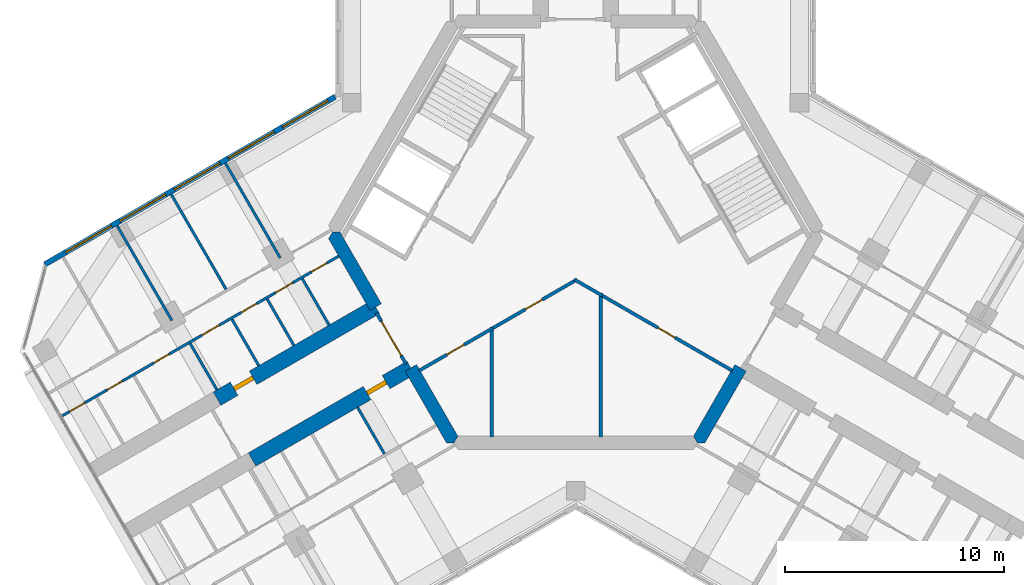
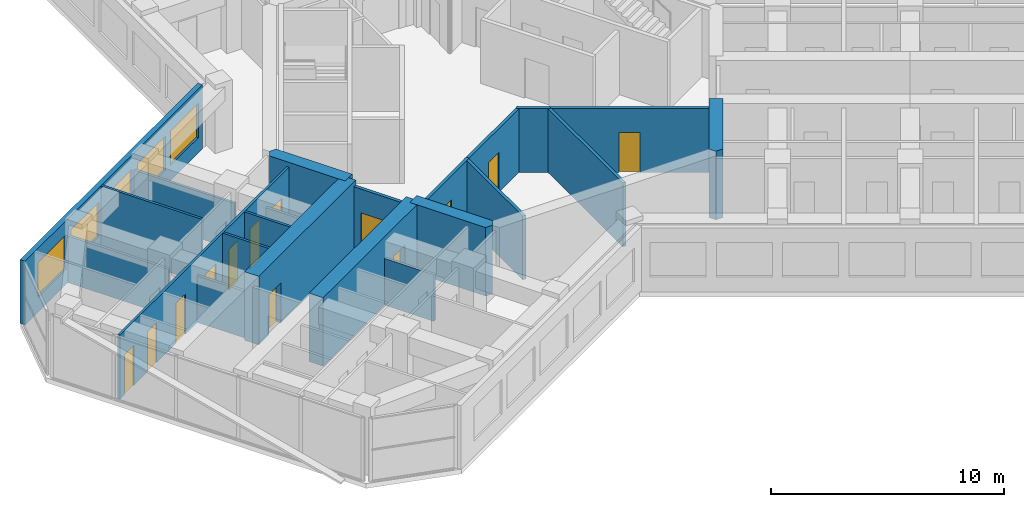
# One storey, part 9 of 16: 22 walls, 13 doors, 5 windows, 18 openings.
"""IFC4 building model written with IfcOpenShell, lengths in metres."""

from ifc_helpers import new_model, si_unit, direction, frame, frame_2d, origin, place, context, subcontext, project, spatial, polyline, rectangle, outline, extrude, material, layer, layer_set, type_object, element, fill, save


model = new_model("IFC4")

# Units and contexts
model_context = context("Model", 3, precision=1e-05, world=origin(), true_north=direction((0.0, 1.0)))
body_context = subcontext(model_context, "Body", "Model", "MODEL_VIEW")
ifc_project = project(units=[si_unit("LENGTHUNIT", "METRE"), si_unit("AREAUNIT", "SQUARE_METRE"), si_unit("VOLUMEUNIT", "CUBIC_METRE"), si_unit("PLANEANGLEUNIT", "RADIAN"), si_unit("MASSUNIT", "GRAM", prefix="KILO")], contexts=[model_context])

# Site, building, storey
site_placement = place(None, origin())
site = spatial("IfcSite", under=ifc_project, at=site_placement, CompositionType="ELEMENT")
building_placement = place(site_placement, origin())
building = spatial("IfcBuilding", under=site, at=building_placement, Name="Kosmar Iwan School Tower", CompositionType="ELEMENT")
storey_placement = place(building_placement, frame((0.0, 0.0, 249.60009765625)))
storey = spatial("IfcBuildingStorey", under=building, at=storey_placement, Name="L63", CompositionType="ELEMENT", Elevation=249.60009765625)

# Wall
ifc_material_1 = material(Name="Gypsum board on steel studs, fire-rated", Category="steel")
ifc_layer_1 = layer(ifc_material_1, 0.14990234375)
ifc_layer_set_1 = layer_set([ifc_layer_1], Name="Core room partition 150")
wall_type_1 = type_object("IfcWallType", Name="Core room partition 150", PredefinedType="PARTITIONING", material=ifc_layer_set_1)
wall_1_placement = place(storey_placement, frame((1.14208984375, -9.344970703125, 0.0), z_axis=(0.0, 0.0, 1.0), x_axis=(0.0, 1.0, 0.0)))
element("IfcWall", 1, at=wall_1_placement, inside=storey, type_object=wall_type_1, Name="Core room partition L63-CW5", PredefinedType="PARTITIONING", context=body_context, shape_type="SweptSolid", body=[
    extrude(rectangle(XDim=6.566650390625, YDim=0.14990234375, at=frame_2d((3.283203125, 0.0))), origin(), (0.0, 0.0, 1.0), 3.349853515625),
])

# Wall, opening, door
wall_2_placement = place(storey_placement, frame((1.0771484375, -2.81591796875, 0.0), z_axis=(0.0, 0.0, 1.0), x_axis=(0.866038154057, -0.49997791523, 0.0)))
wall_2 = element("IfcWall", 2, at=wall_2_placement, inside=storey, type_object=wall_type_1, Name="Core room partition L63-CW6", PredefinedType="PARTITIONING", context=body_context, shape_type="SweptSolid", body=[
    extrude(rectangle(XDim=7.004150390625, YDim=0.14990234375, at=frame_2d((3.501953125, 0.0))), origin(), (0.0, 0.0, 1.0), 3.349853515625),
])
opening_1_placement = place(wall_2_placement, frame((3.0869140625, 0.0, 0.0)))
opening_1 = element("IfcOpeningElement", 3, at=opening_1_placement, cuts=wall_2, Name="Opening D14", PredefinedType="OPENING", context=body_context, shape_type="SweptSolid", body=[
    extrude(rectangle(XDim=0.89990234375, YDim=2.10009765625, at=frame_2d((0.449951171875, 1.050048828125))), frame((0.0, 0.0869140625, 0.0), z_axis=(0.0, -1.0, 0.0), x_axis=(1.0, 0.0, 0.0)), (0.0, 0.0, 1.0), 0.173828125),
])
ifc_material_2 = material(Name="Timber fire door in steel frame", Category="steel")
door_type_1 = type_object("IfcDoorType", Name="Core room door 900x2100", OperationType="SINGLE_SWING_LEFT", PredefinedType="DOOR", material=ifc_material_2)
door_1_placement = place(opening_1_placement, origin())
door_1 = element("IfcDoor", 4, at=door_1_placement, inside=storey, type_object=door_type_1, Name="Residents' laundry room door L63 3", OperationType="SINGLE_SWING_RIGHT", OverallHeight=2.10009765625, OverallWidth=0.89990234375, PredefinedType="DOOR", context=body_context, shape_type="SweptSolid", body=[
    extrude(rectangle(XDim=0.89990234375, YDim=2.10009765625, at=frame_2d((0.449951171875, 1.050048828125))), frame((0.0, 0.02490234375, 0.0), z_axis=(0.0, -1.0, 0.0), x_axis=(1.0, 0.0, 0.0)), (0.0, 0.0, 1.0), 0.050048828125),
])
fill(opening_1, door_1)

# Wall
wall_3_placement = place(storey_placement, frame((-3.826416015625, -9.344970703125, 0.0), z_axis=(0.0, 0.0, 1.0), x_axis=(0.0, 1.0, 0.0)))
element("IfcWall", 5, at=wall_3_placement, inside=storey, type_object=wall_type_1, Name="Core room partition L63-CW7", PredefinedType="PARTITIONING", context=body_context, shape_type="SweptSolid", body=[
    extrude(rectangle(XDim=5.016845703125, YDim=0.14990234375, at=frame_2d((2.50830078125, 0.0))), origin(), (0.0, 0.0, 1.0), 3.349853515625),
])

# Wall, opening, door
wall_4_placement = place(storey_placement, frame((-3.891357421875, -4.440673828125, 0.0), z_axis=(0.0, 0.0, 1.0), x_axis=(0.866024503882, 0.500001558674, 0.0)))
wall_4 = element("IfcWall", 6, at=wall_4_placement, inside=storey, type_object=wall_type_1, Name="Core room partition L63-CW8", PredefinedType="PARTITIONING", context=body_context, shape_type="SweptSolid", body=[
    extrude(rectangle(XDim=4.568359375, YDim=0.14990234375, at=frame_2d((2.2841796875, 0.0))), origin(), (0.0, 0.0, 1.0), 3.349853515625),
])
opening_2_placement = place(wall_4_placement, frame((1.833984375, 0.0, 0.0)))
opening_2 = element("IfcOpeningElement", 7, at=opening_2_placement, cuts=wall_4, Name="Opening D14", PredefinedType="OPENING", context=body_context, shape_type="SweptSolid", body=[
    extrude(rectangle(XDim=0.89990234375, YDim=2.10009765625, at=frame_2d((0.449951171875, 1.050048828125))), frame((0.0, 0.0869140625, 0.0), z_axis=(0.0, -1.0, 0.0), x_axis=(1.0, 0.0, 0.0)), (0.0, 0.0, 1.0), 0.173828125),
])
door_2_placement = place(opening_2_placement, origin())
door_2 = element("IfcDoor", 8, at=door_2_placement, inside=storey, type_object=door_type_1, Name="Refuse and recycling room door L63 4", OperationType="SINGLE_SWING_RIGHT", OverallHeight=2.10009765625, OverallWidth=0.89990234375, PredefinedType="DOOR", context=body_context, shape_type="SweptSolid", body=[
    extrude(rectangle(XDim=0.89990234375, YDim=2.10009765625, at=frame_2d((0.449951171875, 1.050048828125))), frame((0.0, 0.02490234375, 0.0), z_axis=(0.0, -1.0, 0.0), x_axis=(1.0, 0.0, 0.0)), (0.0, 0.0, 1.0), 0.050048828125),
])
fill(opening_2, door_2)

# Wall
wall_5_placement = place(storey_placement, frame((-0.06494140625, -2.156494140625, 0.0), z_axis=(0.0, 0.0, 1.0), x_axis=(0.86602503688, -0.500000635496, 0.0)))
element("IfcWall", 9, at=wall_5_placement, inside=storey, type_object=wall_type_1, Name="Core room partition L63-CW9", PredefinedType="PARTITIONING", context=body_context, shape_type="SweptSolid", body=[
    extrude(rectangle(XDim=1.46875, YDim=0.14990234375, at=frame_2d((0.734375, 0.0))), origin(), (0.0, 0.0, 1.0), 3.349853515625),
])

# Wall, opening, door
wall_6_placement = place(storey_placement, frame((-7.14306640625, -6.31787109375, 0.0), z_axis=(0.0, 0.0, 1.0), x_axis=(0.866022116431, 0.50000569382, 0.0)))
wall_6 = element("IfcWall", 10, at=wall_6_placement, inside=storey, type_object=wall_type_1, Name="Core room partition L63-CW10", PredefinedType="PARTITIONING", context=body_context, shape_type="SweptSolid", body=[
    extrude(rectangle(XDim=3.90478515625, YDim=0.14990234375, at=frame_2d((1.952392578125, 0.0))), origin(), (0.0, 0.0, 1.0), 3.349853515625),
])
opening_3_placement = place(wall_6_placement, frame((1.467041015625, 0.0, 0.0)))
opening_3 = element("IfcOpeningElement", 11, at=opening_3_placement, cuts=wall_6, Name="Opening D14", PredefinedType="OPENING", context=body_context, shape_type="SweptSolid", body=[
    extrude(rectangle(XDim=0.89990234375, YDim=2.10009765625, at=frame_2d((0.449951171875, 1.050048828125))), frame((0.0, 0.0869140625, 0.0), z_axis=(0.0, -1.0, 0.0), x_axis=(1.0, 0.0, 0.0)), (0.0, 0.0, 1.0), 0.173828125),
])
door_3_placement = place(opening_3_placement, origin())
door_3 = element("IfcDoor", 12, at=door_3_placement, inside=storey, type_object=door_type_1, Name="Vending room door L63 5", OperationType="SINGLE_SWING_LEFT", OverallHeight=2.10009765625, OverallWidth=0.89990234375, PredefinedType="DOOR", context=body_context, shape_type="SweptSolid", body=[
    extrude(rectangle(XDim=0.89990234375, YDim=2.10009765625, at=frame_2d((0.449951171875, 1.050048828125))), frame((0.0, 0.02490234375, 0.0), z_axis=(0.0, -1.0, 0.0), x_axis=(1.0, 0.0, 0.0)), (0.0, 0.0, 1.0), 0.050048828125),
])
fill(opening_3, door_3)

# Walls
ifc_material_3 = material(Name="Concrete C50/60", Category="concrete")
ifc_layer_2 = layer(ifc_material_3, 0.60009765625)
ifc_layer_set_2 = layer_set([ifc_layer_2], Name="Core wall 600")
wall_type_2 = type_object("IfcWallType", Name="Core wall 600", PredefinedType="SHEAR", material=ifc_layer_set_2)
wall_7_placement = place(storey_placement, origin())
element("IfcWall", 13, at=wall_7_placement, inside=storey, type_object=wall_type_2, Name="Core wall F210a", PredefinedType="SHEAR", context=body_context, shape_type="SweptSolid", body=[
    extrude(outline(polyline([(-9.37353515625, -3.564453125), (-8.85400390625, -3.264404296875), (-10.73876953125, 0.0), (-11.085205078125, 0.0), (-11.25830078125, -0.300048828125), (-9.37353515625, -3.564453125)])), origin(), (0.0, 0.0, 1.0), 3.599853515625),
])
wall_8_placement = place(storey_placement, origin())
element("IfcWall", 14, at=wall_8_placement, inside=storey, type_object=wall_type_2, Name="Core wall F210b", PredefinedType="SHEAR", context=body_context, shape_type="SweptSolid", body=[
    extrude(outline(polyline([(-5.888916015625, -9.60009765625), (-5.54248046875, -9.60009765625), (-5.369384765625, -9.300048828125), (-7.254150390625, -6.03564453125), (-7.773681640625, -6.335693359375), (-5.888916015625, -9.60009765625)])), origin(), (0.0, 0.0, 1.0), 3.599853515625),
])
wall_9_placement = place(storey_placement, origin())
element("IfcWall", 15, at=wall_9_placement, inside=storey, type_object=wall_type_2, Name="Core wall F330a", PredefinedType="SHEAR", context=body_context, shape_type="SweptSolid", body=[
    extrude(outline(polyline([(5.54248046875, -9.60009765625), (5.888916015625, -9.60009765625), (7.773681640625, -6.335693359375), (7.254150390625, -6.03564453125), (5.369384765625, -9.300048828125), (5.54248046875, -9.60009765625)])), origin(), (0.0, 0.0, 1.0), 3.599853515625),
])

# Wall, opening, door
ifc_material_4 = material(Name="Concrete C50/60", Category="concrete")
ifc_layer_3 = layer(ifc_material_4, 0.699951171875)
ifc_layer_set_3 = layer_set([ifc_layer_3], Name="Corridor buttress wall 700")
wall_type_3 = type_object("IfcWallType", Name="Corridor buttress wall 700", PredefinedType="SHEAR", material=ifc_layer_set_3)
wall_10_placement = place(storey_placement, frame((-7.513916015625, -6.185546875, 0.0), z_axis=(0.0, 0.0, 1.0), x_axis=(-0.866019549707, -0.500010139422, 0.0)))
wall_10 = element("IfcWall", 16, at=wall_10_placement, inside=storey, type_object=wall_type_3, Name="Corridor wall BL", PredefinedType="SHEAR", context=body_context, shape_type="SweptSolid", body=[
    extrude(rectangle(XDim=8.349853515625, YDim=0.699951171875, at=frame_2d((4.1748046875, 0.0))), origin(), (0.0, 0.0, 1.0), 3.599853515625),
])
opening_4_placement = place(wall_10_placement, frame((1.300048828125, 0.0, 0.0)))
opening_4 = element("IfcOpeningElement", 17, at=opening_4_placement, cuts=wall_10, Name="Opening D1", PredefinedType="OPENING", context=body_context, shape_type="SweptSolid", body=[
    extrude(rectangle(XDim=1.0, YDim=2.10009765625, at=frame_2d((0.5, 1.050048828125))), frame((0.0, 0.362060546875, 0.0), z_axis=(0.0, -1.0, 0.0), x_axis=(1.0, 0.0, 0.0)), (0.0, 0.0, 1.0), 0.723876953125),
])
ifc_material_5 = material(Name="Timber fire door in steel frame", Category="steel")
door_type_2 = type_object("IfcDoorType", Name="Flat entrance door 1000x2100", OperationType="SINGLE_SWING_LEFT", PredefinedType="DOOR", material=ifc_material_5)
door_4_placement = place(opening_4_placement, origin())
door_4 = element("IfcDoor", 18, at=door_4_placement, inside=storey, type_object=door_type_2, Name="Flat L63-BL1 entrance door", OperationType="SINGLE_SWING_RIGHT", OverallHeight=2.10009765625, OverallWidth=1.0, PredefinedType="DOOR", context=body_context, shape_type="SweptSolid", body=[
    extrude(rectangle(XDim=1.0, YDim=2.10009765625, at=frame_2d((0.5, 1.050048828125))), frame((0.0, 0.10009765625, 0.0), z_axis=(0.0, -1.0, 0.0), x_axis=(1.0, 0.0, 0.0)), (0.0, 0.0, 1.0), 0.199951171875),
])
fill(opening_4, door_4)

wall_11_placement = place(storey_placement, frame((-9.11376953125, -3.414306640625, 0.0), z_axis=(0.0, 0.0, 1.0), x_axis=(-0.866026859388, -0.499997478812, 0.0)))
wall_11 = element("IfcWall", 19, at=wall_11_placement, inside=storey, type_object=wall_type_3, Name="Corridor wall BR", PredefinedType="SHEAR", context=body_context, shape_type="SweptSolid", body=[
    extrude(rectangle(XDim=8.35009765625, YDim=0.699951171875, at=frame_2d((4.175048828125, 0.0))), origin(), (0.0, 0.0, 1.0), 3.599853515625),
])
opening_5_placement = place(wall_11_placement, frame((6.449951171875, 0.0, 0.0)))
opening_5 = element("IfcOpeningElement", 20, at=opening_5_placement, cuts=wall_11, Name="Opening D1", PredefinedType="OPENING", context=body_context, shape_type="SweptSolid", body=[
    extrude(rectangle(XDim=1.0, YDim=2.10009765625, at=frame_2d((0.5, 1.050048828125))), frame((0.0, 0.362060546875, 0.0), z_axis=(0.0, -1.0, 0.0), x_axis=(1.0, 0.0, 0.0)), (0.0, 0.0, 1.0), 0.723876953125),
])
door_5_placement = place(opening_5_placement, origin())
door_5 = element("IfcDoor", 21, at=door_5_placement, inside=storey, type_object=door_type_2, Name="Flat L63-BR1 entrance door", OperationType="SINGLE_SWING_RIGHT", OverallHeight=2.10009765625, OverallWidth=1.0, PredefinedType="DOOR", context=body_context, shape_type="SweptSolid", body=[
    extrude(rectangle(XDim=1.0, YDim=2.10009765625, at=frame_2d((0.5, 1.050048828125))), frame((0.0, 0.10009765625, 0.0), z_axis=(0.0, -1.0, 0.0), x_axis=(1.0, 0.0, 0.0)), (0.0, 0.0, 1.0), 0.199951171875),
])
fill(opening_5, door_5)

ifc_material_6 = material(Name="Steel framed glazed screen", Category="steel")
ifc_layer_4 = layer(ifc_material_6, 0.14990234375)
ifc_layer_set_4 = layer_set([ifc_layer_4], Name="Corridor screen wall 150")
wall_type_4 = type_object("IfcWallType", Name="Corridor screen wall 150", PredefinedType="PARTITIONING", material=ifc_layer_set_4)
wall_12_placement = place(storey_placement, frame((-9.075439453125, -3.680908203125, 0.0), z_axis=(0.0, 0.0, 1.0), x_axis=(0.500048589285, -0.86599734893, 0.0)))
wall_12 = element("IfcWall", 22, at=wall_12_placement, inside=storey, type_object=wall_type_4, Name="Corridor screen B L63", PredefinedType="PARTITIONING", context=body_context, shape_type="SweptSolid", body=[
    extrude(rectangle(XDim=2.699951171875, YDim=0.14990234375, at=frame_2d((1.35009765625, 0.0))), origin(), (0.0, 0.0, 1.0), 3.349853515625),
])
opening_6_placement = place(wall_12_placement, frame((0.449951171875, 0.0, 0.0)))
opening_6 = element("IfcOpeningElement", 23, at=opening_6_placement, cuts=wall_12, Name="Opening D9", PredefinedType="OPENING", context=body_context, shape_type="SweptSolid", body=[
    extrude(rectangle(XDim=1.800048828125, YDim=2.10009765625, at=frame_2d((0.89990234375, 1.050048828125))), frame((0.0, 0.0869140625, 0.0), z_axis=(0.0, -1.0, 0.0), x_axis=(1.0, 0.0, 0.0)), (0.0, 0.0, 1.0), 0.173828125),
])
ifc_material_7 = material(Name="Steel framed glazed smoke door", Category="steel")
door_type_3 = type_object("IfcDoorType", Name="Corridor smoke door pair 1800x2100", OperationType="DOUBLE_DOOR_DOUBLE_SWING", PredefinedType="DOOR", material=ifc_material_7)
door_6_placement = place(opening_6_placement, origin())
door_6 = element("IfcDoor", 24, at=door_6_placement, inside=storey, type_object=door_type_3, Name="Corridor doors B L63", OperationType="DOUBLE_DOOR_DOUBLE_SWING", OverallHeight=2.10009765625, OverallWidth=1.800048828125, PredefinedType="DOOR", context=body_context, shape_type="SweptSolid", body=[
    extrude(rectangle(XDim=1.800048828125, YDim=2.10009765625, at=frame_2d((0.89990234375, 1.050048828125))), frame((0.0, 0.02490234375, 0.0), z_axis=(0.0, -1.0, 0.0), x_axis=(1.0, 0.0, 0.0)), (0.0, 0.0, 1.0), 0.050048828125),
])
fill(opening_6, door_6)

# Wall
ifc_material_8 = material(Name="Gypsum board on steel studs", Category="steel")
ifc_layer_5 = layer(ifc_material_8, 0.1201171875)
ifc_layer_set_5 = layer_set([ifc_layer_5], Name="Dwelling partition 120")
wall_type_5 = type_object("IfcWallType", Name="Dwelling partition 120", PredefinedType="PARTITIONING", material=ifc_layer_set_5)
wall_13_placement = place(storey_placement, frame((-9.93701171875, -7.98876953125, 0.0), z_axis=(0.0, 0.0, 1.0), x_axis=(0.500077547548, -0.865980627057, 0.0)))
element("IfcWall", 25, at=wall_13_placement, inside=storey, type_object=wall_type_5, Name="Partition L63-BL1-Y1", PredefinedType="PARTITIONING", context=body_context, shape_type="SweptSolid", body=[
    extrude(rectangle(XDim=2.43994140625, YDim=0.1201171875, at=frame_2d((1.219970703125, 0.0))), origin(), (0.0, 0.0, 1.0), 2.449951171875),
])

# Wall, openings, doors
wall_14_placement = place(storey_placement, frame((-10.798583984375, -1.09619140625, 0.0), z_axis=(0.0, 0.0, 1.0), x_axis=(-0.866028217562, -0.499995126363, 0.0)))
wall_14 = element("IfcWall", 26, at=wall_14_placement, inside=storey, type_object=wall_type_5, Name="Partition L63-BR1-W1", PredefinedType="PARTITIONING", context=body_context, shape_type="SweptSolid", body=[
    extrude(rectangle(XDim=14.545166015625, YDim=0.1201171875, at=frame_2d((7.2724609375, 0.0))), origin(), (0.0, 0.0, 1.0), 3.349853515625),
])
opening_7_placement = place(wall_14_placement, frame((0.625, 0.0, 0.0)))
opening_7 = element("IfcOpeningElement", 27, at=opening_7_placement, cuts=wall_14, Name="Opening D3", PredefinedType="OPENING", context=body_context, shape_type="SweptSolid", body=[
    extrude(rectangle(XDim=0.800048828125, YDim=2.10009765625, at=frame_2d((0.39990234375, 1.050048828125))), frame((0.0, 0.072021484375, 0.0), z_axis=(0.0, -1.0, 0.0), x_axis=(1.0, 0.0, 0.0)), (0.0, 0.0, 1.0), 0.14404296875),
])
opening_8_placement = place(wall_14_placement, frame((2.425048828125, 0.0, 0.0)))
opening_8 = element("IfcOpeningElement", 28, at=opening_8_placement, cuts=wall_14, Name="Opening D2", PredefinedType="OPENING", context=body_context, shape_type="SweptSolid", body=[
    extrude(rectangle(XDim=0.89990234375, YDim=2.10009765625, at=frame_2d((0.449951171875, 1.050048828125))), frame((0.0, 0.072021484375, 0.0), z_axis=(0.0, -1.0, 0.0), x_axis=(1.0, 0.0, 0.0)), (0.0, 0.0, 1.0), 0.14404296875),
])
opening_9_placement = place(wall_14_placement, frame((4.324951171875, 0.0, 0.0)))
opening_9 = element("IfcOpeningElement", 29, at=opening_9_placement, cuts=wall_14, Name="Opening D3", PredefinedType="OPENING", context=body_context, shape_type="SweptSolid", body=[
    extrude(rectangle(XDim=0.800048828125, YDim=2.10009765625, at=frame_2d((0.39990234375, 1.050048828125))), frame((0.0, 0.072021484375, 0.0), z_axis=(0.0, -1.0, 0.0), x_axis=(1.0, 0.0, 0.0)), (0.0, 0.0, 1.0), 0.14404296875),
])
opening_10_placement = place(wall_14_placement, frame((6.300048828125, 0.0, 0.0)))
opening_10 = element("IfcOpeningElement", 30, at=opening_10_placement, cuts=wall_14, Name="Opening D2", PredefinedType="OPENING", context=body_context, shape_type="SweptSolid", body=[
    extrude(rectangle(XDim=0.89990234375, YDim=2.10009765625, at=frame_2d((0.449951171875, 1.050048828125))), frame((0.0, 0.072021484375, 0.0), z_axis=(0.0, -1.0, 0.0), x_axis=(1.0, 0.0, 0.0)), (0.0, 0.0, 1.0), 0.14404296875),
])
opening_11_placement = place(wall_14_placement, frame((8.928466796875, 0.0, 0.0)))
opening_11 = element("IfcOpeningElement", 31, at=opening_11_placement, cuts=wall_14, Name="Opening D3", PredefinedType="OPENING", context=body_context, shape_type="SweptSolid", body=[
    extrude(rectangle(XDim=0.800048828125, YDim=2.10009765625, at=frame_2d((0.39990234375, 1.050048828125))), frame((0.0, 0.072021484375, 0.0), z_axis=(0.0, -1.0, 0.0), x_axis=(1.0, 0.0, 0.0)), (0.0, 0.0, 1.0), 0.14404296875),
])
opening_12_placement = place(wall_14_placement, frame((11.392822265625, 0.0, 0.0)))
opening_12 = element("IfcOpeningElement", 32, at=opening_12_placement, cuts=wall_14, Name="Opening D3", PredefinedType="OPENING", context=body_context, shape_type="SweptSolid", body=[
    extrude(rectangle(XDim=0.800048828125, YDim=2.10009765625, at=frame_2d((0.39990234375, 1.050048828125))), frame((0.0, 0.072021484375, 0.0), z_axis=(0.0, -1.0, 0.0), x_axis=(1.0, 0.0, 0.0)), (0.0, 0.0, 1.0), 0.14404296875),
])
opening_13_placement = place(wall_14_placement, frame((13.3642578125, 0.0, 0.0)))
opening_13 = element("IfcOpeningElement", 33, at=opening_13_placement, cuts=wall_14, Name="Opening D3", PredefinedType="OPENING", context=body_context, shape_type="SweptSolid", body=[
    extrude(rectangle(XDim=0.800048828125, YDim=2.10009765625, at=frame_2d((0.39990234375, 1.050048828125))), frame((0.0, 0.072021484375, 0.0), z_axis=(0.0, -1.0, 0.0), x_axis=(1.0, 0.0, 0.0)), (0.0, 0.0, 1.0), 0.14404296875),
])
ifc_material_9 = material(Name="Timber door in timber frame", Category="wood")
door_type_4 = type_object("IfcDoorType", Name="Internal door 900x2100", OperationType="SINGLE_SWING_LEFT", PredefinedType="DOOR", material=ifc_material_9)
door_7_placement = place(opening_8_placement, origin())
door_7 = element("IfcDoor", 34, at=door_7_placement, inside=storey, type_object=door_type_4, Name="Pantry door L63-BR1-S2", OperationType="SINGLE_SWING_LEFT", OverallHeight=2.10009765625, OverallWidth=0.89990234375, PredefinedType="DOOR", context=body_context, shape_type="SweptSolid", body=[
    extrude(rectangle(XDim=0.89990234375, YDim=2.10009765625, at=frame_2d((0.449951171875, 1.050048828125))), frame((0.0, 0.02490234375, 0.0), z_axis=(0.0, -1.0, 0.0), x_axis=(1.0, 0.0, 0.0)), (0.0, 0.0, 1.0), 0.050048828125),
])
fill(opening_8, door_7)
door_8_placement = place(opening_10_placement, origin())
door_8 = element("IfcDoor", 35, at=door_8_placement, inside=storey, type_object=door_type_4, Name="Entrance hall door L63-BR1-S4", OperationType="SINGLE_SWING_LEFT", OverallHeight=2.10009765625, OverallWidth=0.89990234375, PredefinedType="DOOR", context=body_context, shape_type="SweptSolid", body=[
    extrude(rectangle(XDim=0.89990234375, YDim=2.10009765625, at=frame_2d((0.449951171875, 1.050048828125))), frame((0.0, 0.02490234375, 0.0), z_axis=(0.0, -1.0, 0.0), x_axis=(1.0, 0.0, 0.0)), (0.0, 0.0, 1.0), 0.050048828125),
])
fill(opening_10, door_8)
ifc_material_10 = material(Name="Timber door in timber frame", Category="wood")
door_type_5 = type_object("IfcDoorType", Name="Sanitary room door 800x2100", OperationType="SINGLE_SWING_LEFT", PredefinedType="DOOR", material=ifc_material_10)
door_9_placement = place(opening_7_placement, origin())
door_9 = element("IfcDoor", 36, at=door_9_placement, inside=storey, type_object=door_type_5, Name="Store door L63-BR1-S1", OperationType="SINGLE_SWING_RIGHT", OverallHeight=2.10009765625, OverallWidth=0.800048828125, PredefinedType="DOOR", context=body_context, shape_type="SweptSolid", body=[
    extrude(rectangle(XDim=0.800048828125, YDim=2.10009765625, at=frame_2d((0.39990234375, 1.050048828125))), frame((0.0, 0.02490234375, 0.0), z_axis=(0.0, -1.0, 0.0), x_axis=(1.0, 0.0, 0.0)), (0.0, 0.0, 1.0), 0.050048828125),
])
fill(opening_7, door_9)
door_10_placement = place(opening_9_placement, origin())
door_10 = element("IfcDoor", 37, at=door_10_placement, inside=storey, type_object=door_type_5, Name="Grandparents' shower room door L63-BR1-S3", OperationType="SINGLE_SWING_RIGHT", OverallHeight=2.10009765625, OverallWidth=0.800048828125, PredefinedType="DOOR", context=body_context, shape_type="SweptSolid", body=[
    extrude(rectangle(XDim=0.800048828125, YDim=2.10009765625, at=frame_2d((0.39990234375, 1.050048828125))), frame((0.0, 0.02490234375, 0.0), z_axis=(0.0, -1.0, 0.0), x_axis=(1.0, 0.0, 0.0)), (0.0, 0.0, 1.0), 0.050048828125),
])
fill(opening_9, door_10)
door_11_placement = place(opening_11_placement, origin())
door_11 = element("IfcDoor", 38, at=door_11_placement, inside=storey, type_object=door_type_5, Name="Bathroom door L63-BR1-S5", OperationType="SINGLE_SWING_RIGHT", OverallHeight=2.10009765625, OverallWidth=0.800048828125, PredefinedType="DOOR", context=body_context, shape_type="SweptSolid", body=[
    extrude(rectangle(XDim=0.800048828125, YDim=2.10009765625, at=frame_2d((0.39990234375, 1.050048828125))), frame((0.0, 0.02490234375, 0.0), z_axis=(0.0, -1.0, 0.0), x_axis=(1.0, 0.0, 0.0)), (0.0, 0.0, 1.0), 0.050048828125),
])
fill(opening_11, door_11)
door_12_placement = place(opening_12_placement, origin())
door_12 = element("IfcDoor", 39, at=door_12_placement, inside=storey, type_object=door_type_5, Name="Shower room door L63-BR1-S6", OperationType="SINGLE_SWING_LEFT", OverallHeight=2.10009765625, OverallWidth=0.800048828125, PredefinedType="DOOR", context=body_context, shape_type="SweptSolid", body=[
    extrude(rectangle(XDim=0.800048828125, YDim=2.10009765625, at=frame_2d((0.39990234375, 1.050048828125))), frame((0.0, 0.02490234375, 0.0), z_axis=(0.0, -1.0, 0.0), x_axis=(1.0, 0.0, 0.0)), (0.0, 0.0, 1.0), 0.050048828125),
])
fill(opening_12, door_12)
door_13_placement = place(opening_13_placement, origin())
door_13 = element("IfcDoor", 40, at=door_13_placement, inside=storey, type_object=door_type_5, Name="WC door L63-BR1-S7", OperationType="SINGLE_SWING_RIGHT", OverallHeight=2.10009765625, OverallWidth=0.800048828125, PredefinedType="DOOR", context=body_context, shape_type="SweptSolid", body=[
    extrude(rectangle(XDim=0.800048828125, YDim=2.10009765625, at=frame_2d((0.39990234375, 1.050048828125))), frame((0.0, 0.02490234375, 0.0), z_axis=(0.0, -1.0, 0.0), x_axis=(1.0, 0.0, 0.0)), (0.0, 0.0, 1.0), 0.050048828125),
])
fill(opening_13, door_13)

# Walls
wall_15_placement = place(storey_placement, frame((-13.4638671875, -1.179931640625, 0.0), z_axis=(0.0, 0.0, 1.0), x_axis=(-0.499975153383, 0.86603974851, 0.0)))
element("IfcWall", 41, at=wall_15_placement, inside=storey, type_object=wall_type_5, Name="Partition L63-BR1-X1", PredefinedType="PARTITIONING", context=body_context, shape_type="SweptSolid", body=[
    extrude(rectangle(XDim=4.989990234375, YDim=0.1201171875, at=frame_2d((2.4951171875, 0.0))), origin(), (0.0, 0.0, 1.0), 2.449951171875),
])
wall_16_placement = place(storey_placement, frame((-15.931884765625, -2.60498046875, 0.0), z_axis=(0.0, 0.0, 1.0), x_axis=(-0.500011847778, 0.866018563358, 0.0)))
element("IfcWall", 42, at=wall_16_placement, inside=storey, type_object=wall_type_5, Name="Partition L63-BR1-X2", PredefinedType="PARTITIONING", context=body_context, shape_type="SweptSolid", body=[
    extrude(rectangle(XDim=4.990234375, YDim=0.1201171875, at=frame_2d((2.4951171875, 0.0))), origin(), (0.0, 0.0, 1.0), 3.349853515625),
])
wall_17_placement = place(storey_placement, frame((-18.400146484375, -4.030029296875, 0.0), z_axis=(0.0, 0.0, 1.0), x_axis=(-0.500011847778, 0.866018563358, 0.0)))
element("IfcWall", 43, at=wall_17_placement, inside=storey, type_object=wall_type_5, Name="Partition L63-BR1-X3", PredefinedType="PARTITIONING", context=body_context, shape_type="SweptSolid", body=[
    extrude(rectangle(XDim=4.990234375, YDim=0.1201171875, at=frame_2d((2.4951171875, 0.0))), origin(), (0.0, 0.0, 1.0), 2.449951171875),
])
wall_18_placement = place(storey_placement, frame((-11.2373046875, -4.236328125, 0.0), z_axis=(0.0, 0.0, 1.0), x_axis=(-0.500034220881, 0.866005645448, 0.0)))
element("IfcWall", 44, at=wall_18_placement, inside=storey, type_object=wall_type_5, Name="Partition L63-BR1-Y1", PredefinedType="PARTITIONING", context=body_context, shape_type="SweptSolid", body=[
    extrude(rectangle(XDim=2.440185546875, YDim=0.1201171875, at=frame_2d((1.22021484375, 0.0))), origin(), (0.0, 0.0, 1.0), 2.449951171875),
])
wall_19_placement = place(storey_placement, frame((-12.839599609375, -5.161376953125, 0.0), z_axis=(0.0, 0.0, 1.0), x_axis=(-0.499959183527, 0.866048967903, 0.0)))
element("IfcWall", 45, at=wall_19_placement, inside=storey, type_object=wall_type_5, Name="Partition L63-BR1-Y2", PredefinedType="PARTITIONING", context=body_context, shape_type="SweptSolid", body=[
    extrude(rectangle(XDim=2.440185546875, YDim=0.1201171875, at=frame_2d((1.22021484375, 0.0))), origin(), (0.0, 0.0, 1.0), 3.349853515625),
])
wall_20_placement = place(storey_placement, frame((-14.441650390625, -6.086181640625, 0.0), z_axis=(0.0, 0.0, 1.0), x_axis=(-0.500002508028, 0.866023955769, 0.0)))
element("IfcWall", 46, at=wall_20_placement, inside=storey, type_object=wall_type_5, Name="Partition L63-BR1-Y3", PredefinedType="PARTITIONING", context=body_context, shape_type="SweptSolid", body=[
    extrude(rectangle(XDim=2.43994140625, YDim=0.1201171875, at=frame_2d((1.219970703125, 0.0))), origin(), (0.0, 0.0, 1.0), 3.349853515625),
])
wall_21_placement = place(storey_placement, frame((-16.346923828125, -7.186279296875, 0.0), z_axis=(0.0, 0.0, 1.0), x_axis=(-0.500002508028, 0.866023955769, 0.0)))
element("IfcWall", 47, at=wall_21_placement, inside=storey, type_object=wall_type_5, Name="Partition L63-BR1-Y4", PredefinedType="PARTITIONING", context=body_context, shape_type="SweptSolid", body=[
    extrude(rectangle(XDim=2.43994140625, YDim=0.1201171875, at=frame_2d((1.219970703125, 0.0))), origin(), (0.0, 0.0, 1.0), 2.449951171875),
])

# Wall, openings, windows
ifc_material_11 = material(Name="Black aluminium rainscreen on insulated framing", Category="aluminium")
ifc_layer_6 = layer(ifc_material_11, 0.25)
ifc_layer_set_6 = layer_set([ifc_layer_6], Name="External wall rainscreen 250")
wall_type_6 = type_object("IfcWallType", Name="External wall rainscreen 250", PredefinedType="SOLIDWALL", material=ifc_layer_set_6)
wall_22_placement = place(storey_placement, frame((-10.962890625, 6.170166015625, 0.0), z_axis=(0.0, 0.0, 1.0), x_axis=(-0.866025637253, -0.499999595621, 0.0)))
wall_22 = element("IfcWall", 48, at=wall_22_placement, inside=storey, type_object=wall_type_6, Name="External wall BR L63", PredefinedType="SOLIDWALL", context=body_context, shape_type="SweptSolid", body=[
    extrude(rectangle(XDim=15.2763671875, YDim=0.25, at=frame_2d((7.63818359375, 0.0))), origin(), (0.0, 0.0, 1.0), 3.349853515625),
])
opening_14_placement = place(wall_22_placement, frame((0.365966796875, 0.0, 0.800048828125)))
opening_14 = element("IfcOpeningElement", 49, at=opening_14_placement, cuts=wall_22, Name="Opening W5", PredefinedType="OPENING", context=body_context, shape_type="SweptSolid", body=[
    extrude(rectangle(XDim=2.39990234375, YDim=1.800048828125, at=frame_2d((1.199951171875, 0.89990234375))), frame((0.0, 0.136962890625, 0.0), z_axis=(0.0, -1.0, 0.0), x_axis=(1.0, 0.0, 0.0)), (0.0, 0.0, 1.0), 0.27392578125),
])
opening_15_placement = place(wall_22_placement, frame((3.216064453125, 0.0, 0.800048828125)))
opening_15 = element("IfcOpeningElement", 50, at=opening_15_placement, cuts=wall_22, Name="Opening W5", PredefinedType="OPENING", context=body_context, shape_type="SweptSolid", body=[
    extrude(rectangle(XDim=2.39990234375, YDim=1.800048828125, at=frame_2d((1.199951171875, 0.89990234375))), frame((0.0, 0.136962890625, 0.0), z_axis=(0.0, -1.0, 0.0), x_axis=(1.0, 0.0, 0.0)), (0.0, 0.0, 1.0), 0.27392578125),
])
opening_16_placement = place(wall_22_placement, frame((6.06591796875, 0.0, 0.800048828125)))
opening_16 = element("IfcOpeningElement", 51, at=opening_16_placement, cuts=wall_22, Name="Opening W5", PredefinedType="OPENING", context=body_context, shape_type="SweptSolid", body=[
    extrude(rectangle(XDim=2.39990234375, YDim=1.800048828125, at=frame_2d((1.199951171875, 0.89990234375))), frame((0.0, 0.136962890625, 0.0), z_axis=(0.0, -1.0, 0.0), x_axis=(1.0, 0.0, 0.0)), (0.0, 0.0, 1.0), 0.27392578125),
])
opening_17_placement = place(wall_22_placement, frame((8.916015625, 0.0, 0.800048828125)))
opening_17 = element("IfcOpeningElement", 52, at=opening_17_placement, cuts=wall_22, Name="Opening W5", PredefinedType="OPENING", context=body_context, shape_type="SweptSolid", body=[
    extrude(rectangle(XDim=2.39990234375, YDim=1.800048828125, at=frame_2d((1.199951171875, 0.89990234375))), frame((0.0, 0.136962890625, 0.0), z_axis=(0.0, -1.0, 0.0), x_axis=(1.0, 0.0, 0.0)), (0.0, 0.0, 1.0), 0.27392578125),
])
opening_18_placement = place(wall_22_placement, frame((11.76611328125, 0.0, 0.800048828125)))
opening_18 = element("IfcOpeningElement", 53, at=opening_18_placement, cuts=wall_22, Name="Opening W5", PredefinedType="OPENING", context=body_context, shape_type="SweptSolid", body=[
    extrude(rectangle(XDim=2.39990234375, YDim=1.800048828125, at=frame_2d((1.199951171875, 0.89990234375))), frame((0.0, 0.136962890625, 0.0), z_axis=(0.0, -1.0, 0.0), x_axis=(1.0, 0.0, 0.0)), (0.0, 0.0, 1.0), 0.27392578125),
])
ifc_material_12 = material(Name="Black aluminium frame with dark triple glazing", Category="aluminium")
window_type = type_object("IfcWindowType", Name="Window 2400x1800", PartitioningType="SINGLE_PANEL", PredefinedType="WINDOW", material=ifc_material_12)
window_1_placement = place(opening_14_placement, origin())
window_1 = element("IfcWindow", 54, at=window_1_placement, inside=storey, type_object=window_type, Name="Window BR L63 -1", OverallHeight=1.800048828125, OverallWidth=2.39990234375, PartitioningType="SINGLE_PANEL", PredefinedType="WINDOW", context=body_context, shape_type="SweptSolid", body=[
    extrude(rectangle(XDim=2.39990234375, YDim=1.800048828125, at=frame_2d((1.199951171875, 0.89990234375))), frame((0.0, 0.030029296875, 0.0), z_axis=(0.0, -1.0, 0.0), x_axis=(1.0, 0.0, 0.0)), (0.0, 0.0, 1.0), 0.06005859375),
])
fill(opening_14, window_1)
window_2_placement = place(opening_15_placement, origin())
window_2 = element("IfcWindow", 55, at=window_2_placement, inside=storey, type_object=window_type, Name="Window BR L63 0", OverallHeight=1.800048828125, OverallWidth=2.39990234375, PartitioningType="SINGLE_PANEL", PredefinedType="WINDOW", context=body_context, shape_type="SweptSolid", body=[
    extrude(rectangle(XDim=2.39990234375, YDim=1.800048828125, at=frame_2d((1.199951171875, 0.89990234375))), frame((0.0, 0.030029296875, 0.0), z_axis=(0.0, -1.0, 0.0), x_axis=(1.0, 0.0, 0.0)), (0.0, 0.0, 1.0), 0.06005859375),
])
fill(opening_15, window_2)
window_3_placement = place(opening_16_placement, origin())
window_3 = element("IfcWindow", 56, at=window_3_placement, inside=storey, type_object=window_type, Name="Window BR L63 1", OverallHeight=1.800048828125, OverallWidth=2.39990234375, PartitioningType="SINGLE_PANEL", PredefinedType="WINDOW", context=body_context, shape_type="SweptSolid", body=[
    extrude(rectangle(XDim=2.39990234375, YDim=1.800048828125, at=frame_2d((1.199951171875, 0.89990234375))), frame((0.0, 0.030029296875, 0.0), z_axis=(0.0, -1.0, 0.0), x_axis=(1.0, 0.0, 0.0)), (0.0, 0.0, 1.0), 0.06005859375),
])
fill(opening_16, window_3)
window_4_placement = place(opening_17_placement, origin())
window_4 = element("IfcWindow", 57, at=window_4_placement, inside=storey, type_object=window_type, Name="Window BR L63 2", OverallHeight=1.800048828125, OverallWidth=2.39990234375, PartitioningType="SINGLE_PANEL", PredefinedType="WINDOW", context=body_context, shape_type="SweptSolid", body=[
    extrude(rectangle(XDim=2.39990234375, YDim=1.800048828125, at=frame_2d((1.199951171875, 0.89990234375))), frame((0.0, 0.030029296875, 0.0), z_axis=(0.0, -1.0, 0.0), x_axis=(1.0, 0.0, 0.0)), (0.0, 0.0, 1.0), 0.06005859375),
])
fill(opening_17, window_4)
window_5_placement = place(opening_18_placement, origin())
window_5 = element("IfcWindow", 58, at=window_5_placement, inside=storey, type_object=window_type, Name="Window BR L63 3", OverallHeight=1.800048828125, OverallWidth=2.39990234375, PartitioningType="SINGLE_PANEL", PredefinedType="WINDOW", context=body_context, shape_type="SweptSolid", body=[
    extrude(rectangle(XDim=2.39990234375, YDim=1.800048828125, at=frame_2d((1.199951171875, 0.89990234375))), frame((0.0, 0.030029296875, 0.0), z_axis=(0.0, -1.0, 0.0), x_axis=(1.0, 0.0, 0.0)), (0.0, 0.0, 1.0), 0.06005859375),
])
fill(opening_18, window_5)

save(model, "model.ifc")
